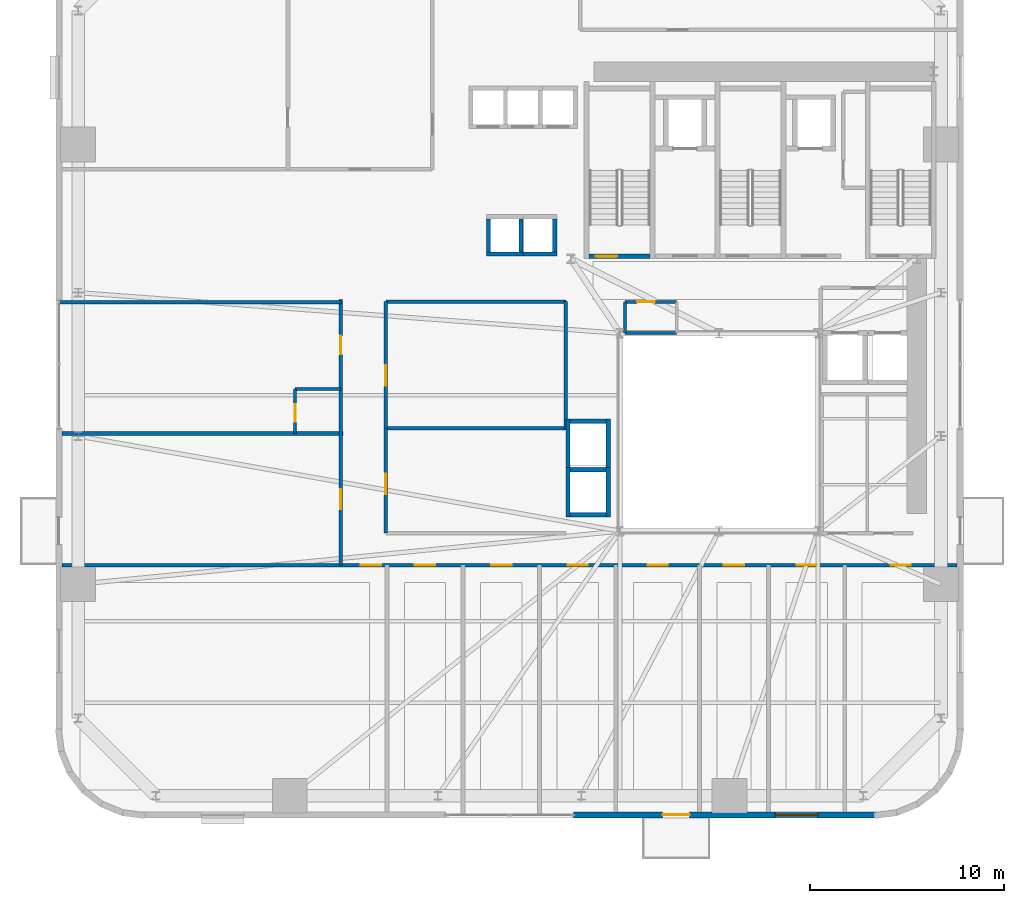
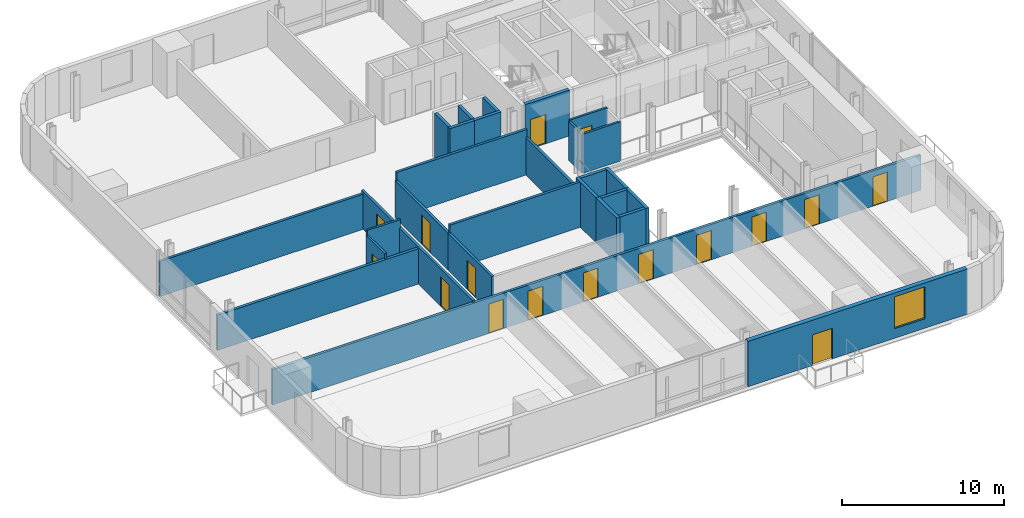
# One storey, part 6 of 13: 28 walls, 16 doors, 1 window, 17 openings.
"""IFC4 building model written with IfcOpenShell, lengths in metres."""

from ifc_helpers import new_model, si_unit, direction, frame, frame_2d, origin, place, context, subcontext, project, spatial, rectangle, extrude, source, transform, mapped, material, layer, layer_set, type_object, element, fill, save


model = new_model("IFC4")

# Units and contexts
model_context = context("Model", 3, precision=1e-05, world=origin(), true_north=direction((0.0, 1.0)))
body_context = subcontext(model_context, "Body", "Model", "MODEL_VIEW")
ifc_project = project(units=[si_unit("LENGTHUNIT", "METRE"), si_unit("AREAUNIT", "SQUARE_METRE"), si_unit("VOLUMEUNIT", "CUBIC_METRE"), si_unit("PLANEANGLEUNIT", "RADIAN"), si_unit("MASSUNIT", "GRAM", prefix="KILO")], contexts=[model_context])

# Site, building, storey
site_placement = place(None, origin())
site = spatial("IfcSite", under=ifc_project, at=site_placement, CompositionType="ELEMENT")
building_placement = place(site_placement, origin())
building = spatial("IfcBuilding", under=site, at=building_placement, Name="Vardaveli Station Tower", CompositionType="ELEMENT")
storey_placement = place(building_placement, frame((0.0, 0.0, 53.14990234375)))
storey = spatial("IfcBuildingStorey", under=building, at=storey_placement, Name="L13", CompositionType="ELEMENT", Elevation=53.14990234375)

# Wall, openings, door, window
ifc_material_1 = material(Name="Precast concrete C45/55", Category="concrete")
ifc_layer_1 = layer(ifc_material_1, 0.320068359375, Name="Precast concrete C45/55")
ifc_layer_set_1 = layer_set([ifc_layer_1], Name="Precast concrete C45/55")
wall_type_1 = type_object("IfcWallType", Name="WAL-EXT-STONE-320", PredefinedType="SOLIDWALL", material=ifc_layer_set_1)
shared_shape_1 = source(origin(), body_context, "Body", "SweptSolid", [
    extrude(rectangle(XDim=15.599853515625, YDim=0.320068359375, at=frame_2d((7.7998046875, 0.0))), origin(), (0.0, 0.0, 1.0), 3.41015625),
])
wall_1_placement = place(storey_placement, frame((28.800048828125, 1.9599609375, 0.0), z_axis=(0.0, 0.0, 1.0), x_axis=(1.0, 0.0, 0.0)))
wall_1 = element("IfcWall", 1, at=wall_1_placement, inside=storey, type_object=wall_type_1, Name="EW-L13-S2", PredefinedType="SOLIDWALL", context=body_context, shape_type="MappedRepresentation", body=[
    mapped(shared_shape_1, transform((0.0, 0.0, 0.0), scale=1.0)),
])
shared_shape_2 = source(origin(), body_context, "Body", "SweptSolid", [
    extrude(rectangle(XDim=1.39990234375, YDim=2.300048828125, at=frame_2d((0.699951171875, 1.14990234375))), frame((0.0, 0.169921875, 0.0), z_axis=(0.0, -1.0, 0.0), x_axis=(1.0, 0.0, 0.0)), (0.0, 0.0, 1.0), 0.340087890625),
])
opening_1_placement = place(wall_1_placement, frame((4.589599609375, 0.0, 0.0)))
opening_1 = element("IfcOpeningElement", 2, at=opening_1_placement, cuts=wall_1, Name="Opening D-09", PredefinedType="OPENING", context=body_context, shape_type="MappedRepresentation", body=[
    mapped(shared_shape_2, transform((0.0, 0.0, 0.0), scale=1.0)),
])
shared_shape_3 = source(origin(), body_context, "Body", "SweptSolid", [
    extrude(rectangle(XDim=2.199951171875, YDim=2.39990234375, at=frame_2d((1.10009765625, 1.199951171875))), frame((0.0, 0.169921875, 0.0), z_axis=(0.0, -1.0, 0.0), x_axis=(1.0, 0.0, 0.0)), (0.0, 0.0, 1.0), 0.340087890625),
])
opening_2_placement = place(wall_1_placement, frame((10.39501953125, 0.0, 0.719970703125)))
opening_2 = element("IfcOpeningElement", 3, at=opening_2_placement, cuts=wall_1, Name="Opening W-03", PredefinedType="OPENING", context=body_context, shape_type="MappedRepresentation", body=[
    mapped(shared_shape_3, transform((0.0, 0.0, 0.0), scale=1.0)),
])
ifc_material_2 = material(Name="Thermally broken aluminium glass", Category="aluminium")
door_type_1 = type_object("IfcDoorType", Name="DR-LOG-1400x2300", OperationType="DOUBLE_DOOR_SLIDING", PredefinedType="DOOR", material=ifc_material_2)
shared_shape_4 = source(origin(), body_context, "Body", "SweptSolid", [
    extrude(rectangle(XDim=1.39990234375, YDim=2.300048828125, at=frame_2d((0.699951171875, 1.14990234375))), frame((0.0, 0.02490234375, 0.0), z_axis=(0.0, -1.0, 0.0), x_axis=(1.0, 0.0, 0.0)), (0.0, 0.0, 1.0), 0.050048828125),
])
door_1_placement = place(opening_1_placement, frame((1.39990234375, 0.0, 0.0), z_axis=(0.0, 0.0, 1.0), x_axis=(-1.0, 0.0, 0.0)))
door_1 = element("IfcDoor", 4, at=door_1_placement, inside=storey, type_object=door_type_1, Name="DLG-L13-S", OperationType="DOUBLE_DOOR_SLIDING", OverallHeight=2.300048828125, OverallWidth=1.39990234375, PredefinedType="DOOR", context=body_context, shape_type="MappedRepresentation", body=[
    mapped(shared_shape_4, transform((0.0, 0.0, 0.0), scale=1.0)),
])
fill(opening_1, door_1)
ifc_material_3 = material(Name="Low-E solar-control glass", Category="glass")
window_type = type_object("IfcWindowType", Name="WIN-LOG-2200x2400", PartitioningType="SINGLE_PANEL", PredefinedType="WINDOW", material=ifc_material_3)
shared_shape_5 = source(origin(), body_context, "Body", "SweptSolid", [
    extrude(rectangle(XDim=2.199951171875, YDim=2.39990234375, at=frame_2d((1.10009765625, 1.199951171875))), frame((0.0, 0.030029296875, 0.0), z_axis=(0.0, -1.0, 0.0), x_axis=(1.0, 0.0, 0.0)), (0.0, 0.0, 1.0), 0.06005859375),
])
window_placement = place(opening_2_placement, origin())
window = element("IfcWindow", 5, at=window_placement, inside=storey, type_object=window_type, Name="WN-L13-S2", OverallHeight=2.39990234375, OverallWidth=2.199951171875, PartitioningType="SINGLE_PANEL", PredefinedType="WINDOW", context=body_context, shape_type="MappedRepresentation", body=[
    mapped(shared_shape_5, transform((0.0, 0.0, 0.0), scale=1.0)),
])
fill(opening_2, window)

# Wall, opening, door
ifc_material_4 = material(Name="Concrete C40/50", Category="concrete")
ifc_layer_2 = layer(ifc_material_4, 0.25, Name="Concrete C40/50")
ifc_layer_set_2 = layer_set([ifc_layer_2], Name="Concrete C40/50")
wall_type_2 = type_object("IfcWallType", Name="WAL-SHAFT-250", PredefinedType="SOLIDWALL", material=ifc_layer_set_2)
shared_shape_6 = source(origin(), body_context, "Body", "SweptSolid", [
    extrude(rectangle(XDim=3.14990234375, YDim=0.25, at=frame_2d((1.574951171875, 0.0))), origin(), (0.0, 0.0, 1.0), 3.4501953125),
])
wall_2_placement = place(storey_placement, frame((29.60009765625, 30.77490234375, 0.0), z_axis=(0.0, 0.0, 1.0), x_axis=(1.0, 0.0, 0.0)))
wall_2 = element("IfcWall", 6, at=wall_2_placement, inside=storey, type_object=wall_type_2, Name="W-L13-ST-1S", PredefinedType="SOLIDWALL", context=body_context, shape_type="MappedRepresentation", body=[
    mapped(shared_shape_6, transform((0.0, 0.0, 0.0), scale=1.0)),
])
shared_shape_7 = source(origin(), body_context, "Body", "SweptSolid", [
    extrude(rectangle(XDim=1.10009765625, YDim=2.199951171875, at=frame_2d((0.550048828125, 1.10009765625))), frame((0.0, 0.135009765625, 0.0), z_axis=(0.0, -1.0, 0.0), x_axis=(1.0, 0.0, 0.0)), (0.0, 0.0, 1.0), 0.27001953125),
])
opening_3_placement = place(wall_2_placement, frame((0.35009765625, 0.0, 0.0)))
opening_3 = element("IfcOpeningElement", 7, at=opening_3_placement, cuts=wall_2, Name="Opening D-04", PredefinedType="OPENING", context=body_context, shape_type="MappedRepresentation", body=[
    mapped(shared_shape_7, transform((0.0, 0.0, 0.0), scale=1.0)),
])
ifc_material_5 = material(Name="Steel smokeproof fire doorset", Category="steel")
door_type_2 = type_object("IfcDoorType", Name="DR-ST-1100x2200", OperationType="NOTDEFINED", PredefinedType="DOOR", material=ifc_material_5)
shared_shape_8 = source(origin(), body_context, "Body", "SweptSolid", [
    extrude(rectangle(XDim=1.10009765625, YDim=2.199951171875, at=frame_2d((0.550048828125, 1.10009765625))), frame((0.0, 0.02490234375, 0.0), z_axis=(0.0, -1.0, 0.0), x_axis=(1.0, 0.0, 0.0)), (0.0, 0.0, 1.0), 0.050048828125),
])
door_2_placement = place(opening_3_placement, origin())
door_2 = element("IfcDoor", 8, at=door_2_placement, inside=storey, type_object=door_type_2, Name="DST-1-L13", OperationType="SINGLE_SWING_LEFT", OverallHeight=2.199951171875, OverallWidth=1.10009765625, PredefinedType="DOOR", context=body_context, shape_type="MappedRepresentation", body=[
    mapped(shared_shape_8, transform((0.0, 0.0, 0.0), scale=1.0)),
])
fill(opening_3, door_2)

# Walls
ifc_layer_3 = layer(ifc_material_4, 0.219970703125, Name="Concrete C40/50")
ifc_layer_set_3 = layer_set([ifc_layer_3], Name="Concrete C40/50")
wall_type_3 = type_object("IfcWallType", Name="WAL-FFLOBBY-220", PredefinedType="SOLIDWALL", material=ifc_layer_set_3)
shared_shape_9 = source(origin(), body_context, "Body", "SweptSolid", [
    extrude(rectangle(XDim=1.89013671875, YDim=0.219970703125, at=frame_2d((0.945068359375, 0.0))), origin(), (0.0, 0.0, 1.0), 3.41015625),
])
for number, where, z_axis, x_axis, name in (
    (9, (24.304931640625, 30.889892578125, 0.0), (0.0, 0.0, 1.0), (1.0, 0.0, 0.0), "SHW-SHU-01-L13-S"),
    (10, (26.054931640625, 30.889892578125, 0.0), (0.0, 0.0, 1.0), (1.0, 0.0, 0.0), "SHW-SHU-02-L13-S"),
):
    element("IfcWall", number, at=place(storey_placement, frame(where, z_axis=z_axis, x_axis=x_axis)), inside=storey, type_object=wall_type_3, Name=name, PredefinedType="SOLIDWALL", context=body_context, shape_type="MappedRepresentation", body=[
        mapped(shared_shape_9, transform((0.0, 0.0, 0.0), scale=1.0)),
    ])
shared_shape_10 = source(origin(), body_context, "Body", "SweptSolid", [
    extrude(rectangle(XDim=1.699951171875, YDim=0.219970703125, at=frame_2d((0.85009765625, 0.0))), origin(), (0.0, 0.0, 1.0), 3.41015625),
])
for number, where, z_axis, x_axis, name in (
    (11, (24.4150390625, 31.0, 0.0), (0.0, 0.0, 1.0), (0.0, 1.0, 0.0), "SHW-SHU-01-L13-W"),
    (12, (26.0849609375, 31.0, 0.0), (0.0, 0.0, 1.0), (0.0, 1.0, 0.0), "SHW-SHU-01-L13-E"),
    (13, (27.8349609375, 31.0, 0.0), (0.0, 0.0, 1.0), (0.0, 1.0, 0.0), "SHW-SHU-02-L13-E"),
):
    element("IfcWall", number, at=place(storey_placement, frame(where, z_axis=z_axis, x_axis=x_axis)), inside=storey, type_object=wall_type_3, Name=name, PredefinedType="SOLIDWALL", context=body_context, shape_type="MappedRepresentation", body=[
        mapped(shared_shape_10, transform((0.0, 0.0, 0.0), scale=1.0)),
    ])
shared_shape_11 = source(origin(), body_context, "Body", "SweptSolid", [
    extrude(rectangle(XDim=1.85009765625, YDim=0.219970703125, at=frame_2d((0.925048828125, 0.0))), origin(), (0.0, 0.0, 1.0), 3.41015625),
])
for number, where, z_axis, x_axis, name in (
    (14, (28.625, 17.43994140625, 0.0), (0.0, 0.0, 1.0), (1.0, 0.0, 0.0), "SHW-OBS-01-L13-S"),
    (15, (28.625, 19.760009765625, 0.0), (0.0, 0.0, 1.0), (1.0, 0.0, 0.0), "SHW-OBS-01-L13-N"),
    (16, (28.625, 22.260009765625, 0.0), (0.0, 0.0, 1.0), (1.0, 0.0, 0.0), "SHW-OBS-02-L13-N"),
):
    element("IfcWall", number, at=place(storey_placement, frame(where, z_axis=z_axis, x_axis=x_axis)), inside=storey, type_object=wall_type_3, Name=name, PredefinedType="SOLIDWALL", context=body_context, shape_type="MappedRepresentation", body=[
        mapped(shared_shape_11, transform((0.0, 0.0, 0.0), scale=1.0)),
    ])
shared_shape_12 = source(origin(), body_context, "Body", "SweptSolid", [
    extrude(rectangle(XDim=2.5400390625, YDim=0.219970703125, at=frame_2d((1.27001953125, 0.0))), origin(), (0.0, 0.0, 1.0), 3.41015625),
])
for number, where, z_axis, x_axis, name in (
    (17, (28.514892578125, 17.330078125, 0.0), (0.0, 0.0, 1.0), (0.0, 1.0, 0.0), "SHW-OBS-01-L13-W"),
    (18, (30.5849609375, 17.330078125, 0.0), (0.0, 0.0, 1.0), (0.0, 1.0, 0.0), "SHW-OBS-01-L13-E"),
    (19, (28.514892578125, 19.830078125, 0.0), (0.0, 0.0, 1.0), (0.0, 1.0, 0.0), "SHW-OBS-02-L13-W"),
    (20, (30.5849609375, 19.830078125, 0.0), (0.0, 0.0, 1.0), (0.0, 1.0, 0.0), "SHW-OBS-02-L13-E"),
):
    element("IfcWall", number, at=place(storey_placement, frame(where, z_axis=z_axis, x_axis=x_axis)), inside=storey, type_object=wall_type_3, Name=name, PredefinedType="SOLIDWALL", context=body_context, shape_type="MappedRepresentation", body=[
        mapped(shared_shape_12, transform((0.0, 0.0, 0.0), scale=1.0)),
    ])

# Wall, openings, doors
ifc_material_6 = material(Name="Fire-rated gypsum stud partition")
ifc_layer_4 = layer(ifc_material_6, 0.179931640625, Name="Fire-rated gypsum stud partition")
ifc_layer_set_4 = layer_set([ifc_layer_4], Name="Fire-rated gypsum stud partition")
wall_type_4 = type_object("IfcWallType", Name="WAL-CORR-180", PredefinedType="PARTITIONING", material=ifc_layer_set_4)
shared_shape_13 = source(origin(), body_context, "Body", "SweptSolid", [
    extrude(rectangle(XDim=46.15576171875, YDim=0.179931640625, at=frame_2d((23.077880859375, 0.0))), origin(), (0.0, 0.0, 1.0), 2.652099609375),
])
wall_3_placement = place(storey_placement, frame((2.422119140625, 14.85009765625, 0.0), z_axis=(0.0, 0.0, 1.0), x_axis=(1.0, 0.0, 0.0)))
wall_3 = element("IfcWall", 21, at=wall_3_placement, inside=storey, type_object=wall_type_4, Name="W-L13-CS", PredefinedType="PARTITIONING", context=body_context, shape_type="MappedRepresentation", body=[
    mapped(shared_shape_13, transform((0.0, 0.0, 0.0), scale=1.0)),
])
shared_shape_14 = source(origin(), body_context, "Body", "SweptSolid", [
    extrude(rectangle(XDim=1.050048828125, YDim=2.199951171875, at=frame_2d((0.52490234375, 1.10009765625))), frame((0.0, 0.10009765625, 0.0), z_axis=(0.0, -1.0, 0.0), x_axis=(1.0, 0.0, 0.0)), (0.0, 0.0, 1.0), 0.199951171875),
])
opening_4_placement = place(wall_3_placement, frame((15.39794921875, 0.0, 0.0)))
opening_4 = element("IfcOpeningElement", 22, at=opening_4_placement, cuts=wall_3, Name="Opening D-05", PredefinedType="OPENING", context=body_context, shape_type="MappedRepresentation", body=[
    mapped(shared_shape_14, transform((0.0, 0.0, 0.0), scale=1.0)),
])
opening_5_placement = place(wall_3_placement, frame((18.196044921875, 0.0, 0.0)))
opening_5 = element("IfcOpeningElement", 23, at=opening_5_placement, cuts=wall_3, Name="Opening D-05", PredefinedType="OPENING", context=body_context, shape_type="MappedRepresentation", body=[
    mapped(shared_shape_14, transform((0.0, 0.0, 0.0), scale=1.0)),
])
opening_6_placement = place(wall_3_placement, frame((22.13232421875, 0.0, 0.0)))
opening_6 = element("IfcOpeningElement", 24, at=opening_6_placement, cuts=wall_3, Name="Opening D-05", PredefinedType="OPENING", context=body_context, shape_type="MappedRepresentation", body=[
    mapped(shared_shape_14, transform((0.0, 0.0, 0.0), scale=1.0)),
])
opening_7_placement = place(wall_3_placement, frame((26.068603515625, 0.0, 0.0)))
opening_7 = element("IfcOpeningElement", 25, at=opening_7_placement, cuts=wall_3, Name="Opening D-05", PredefinedType="OPENING", context=body_context, shape_type="MappedRepresentation", body=[
    mapped(shared_shape_14, transform((0.0, 0.0, 0.0), scale=1.0)),
])
opening_8_placement = place(wall_3_placement, frame((30.192138671875, 0.0, 0.0)))
opening_8 = element("IfcOpeningElement", 26, at=opening_8_placement, cuts=wall_3, Name="Opening D-05", PredefinedType="OPENING", context=body_context, shape_type="MappedRepresentation", body=[
    mapped(shared_shape_14, transform((0.0, 0.0, 0.0), scale=1.0)),
])
opening_9_placement = place(wall_3_placement, frame((34.12841796875, 0.0, 0.0)))
opening_9 = element("IfcOpeningElement", 27, at=opening_9_placement, cuts=wall_3, Name="Opening D-05", PredefinedType="OPENING", context=body_context, shape_type="MappedRepresentation", body=[
    mapped(shared_shape_14, transform((0.0, 0.0, 0.0), scale=1.0)),
])
opening_10_placement = place(wall_3_placement, frame((37.877197265625, 0.0, 0.0)))
opening_10 = element("IfcOpeningElement", 28, at=opening_10_placement, cuts=wall_3, Name="Opening D-05", PredefinedType="OPENING", context=body_context, shape_type="MappedRepresentation", body=[
    mapped(shared_shape_14, transform((0.0, 0.0, 0.0), scale=1.0)),
])
opening_11_placement = place(wall_3_placement, frame((42.726806640625, 0.0, 0.0)))
opening_11 = element("IfcOpeningElement", 29, at=opening_11_placement, cuts=wall_3, Name="Opening D-05", PredefinedType="OPENING", context=body_context, shape_type="MappedRepresentation", body=[
    mapped(shared_shape_14, transform((0.0, 0.0, 0.0), scale=1.0)),
])
ifc_material_7 = material(Name="Walnut veneer acoustic fire door")
door_type_3 = type_object("IfcDoorType", Name="DR-SUITE-1050x2200", OperationType="NOTDEFINED", PredefinedType="DOOR", material=ifc_material_7)
shared_shape_15 = source(origin(), body_context, "Body", "SweptSolid", [
    extrude(rectangle(XDim=1.050048828125, YDim=2.199951171875, at=frame_2d((0.52490234375, 1.10009765625))), frame((0.0, 0.02490234375, 0.0), z_axis=(0.0, -1.0, 0.0), x_axis=(1.0, 0.0, 0.0)), (0.0, 0.0, 1.0), 0.050048828125),
])
door_3_placement = place(opening_4_placement, origin())
door_3 = element("IfcDoor", 30, at=door_3_placement, inside=storey, type_object=door_type_3, Name="D-L13-SA1", OperationType="SINGLE_SWING_LEFT", OverallHeight=2.199951171875, OverallWidth=1.050048828125, PredefinedType="DOOR", context=body_context, shape_type="MappedRepresentation", body=[
    mapped(shared_shape_15, transform((0.0, 0.0, 0.0), scale=1.0)),
])
fill(opening_4, door_3)
door_4_placement = place(opening_5_placement, origin())
door_4 = element("IfcDoor", 31, at=door_4_placement, inside=storey, type_object=door_type_3, Name="D-L13-SA2", OperationType="SINGLE_SWING_RIGHT", OverallHeight=2.199951171875, OverallWidth=1.050048828125, PredefinedType="DOOR", context=body_context, shape_type="MappedRepresentation", body=[
    mapped(shared_shape_15, transform((0.0, 0.0, 0.0), scale=1.0)),
])
fill(opening_5, door_4)
door_5_placement = place(opening_6_placement, origin())
door_5 = element("IfcDoor", 32, at=door_5_placement, inside=storey, type_object=door_type_3, Name="D-L13-SA3", OperationType="SINGLE_SWING_LEFT", OverallHeight=2.199951171875, OverallWidth=1.050048828125, PredefinedType="DOOR", context=body_context, shape_type="MappedRepresentation", body=[
    mapped(shared_shape_15, transform((0.0, 0.0, 0.0), scale=1.0)),
])
fill(opening_6, door_5)
door_6_placement = place(opening_7_placement, origin())
door_6 = element("IfcDoor", 33, at=door_6_placement, inside=storey, type_object=door_type_3, Name="D-L13-SA4", OperationType="SINGLE_SWING_RIGHT", OverallHeight=2.199951171875, OverallWidth=1.050048828125, PredefinedType="DOOR", context=body_context, shape_type="MappedRepresentation", body=[
    mapped(shared_shape_15, transform((0.0, 0.0, 0.0), scale=1.0)),
])
fill(opening_7, door_6)
door_7_placement = place(opening_8_placement, origin())
door_7 = element("IfcDoor", 34, at=door_7_placement, inside=storey, type_object=door_type_3, Name="D-L13-SA5", OperationType="SINGLE_SWING_LEFT", OverallHeight=2.199951171875, OverallWidth=1.050048828125, PredefinedType="DOOR", context=body_context, shape_type="MappedRepresentation", body=[
    mapped(shared_shape_15, transform((0.0, 0.0, 0.0), scale=1.0)),
])
fill(opening_8, door_7)
door_8_placement = place(opening_9_placement, origin())
door_8 = element("IfcDoor", 35, at=door_8_placement, inside=storey, type_object=door_type_3, Name="D-L13-SA6", OperationType="SINGLE_SWING_RIGHT", OverallHeight=2.199951171875, OverallWidth=1.050048828125, PredefinedType="DOOR", context=body_context, shape_type="MappedRepresentation", body=[
    mapped(shared_shape_15, transform((0.0, 0.0, 0.0), scale=1.0)),
])
fill(opening_9, door_8)
door_9_placement = place(opening_10_placement, origin())
door_9 = element("IfcDoor", 36, at=door_9_placement, inside=storey, type_object=door_type_3, Name="D-L13-SA7", OperationType="SINGLE_SWING_LEFT", OverallHeight=2.199951171875, OverallWidth=1.050048828125, PredefinedType="DOOR", context=body_context, shape_type="MappedRepresentation", body=[
    mapped(shared_shape_15, transform((0.0, 0.0, 0.0), scale=1.0)),
])
fill(opening_10, door_9)
door_10_placement = place(opening_11_placement, origin())
door_10 = element("IfcDoor", 37, at=door_10_placement, inside=storey, type_object=door_type_3, Name="D-L13-SA8", OperationType="SINGLE_SWING_LEFT", OverallHeight=2.199951171875, OverallWidth=1.050048828125, PredefinedType="DOOR", context=body_context, shape_type="MappedRepresentation", body=[
    mapped(shared_shape_15, transform((0.0, 0.0, 0.0), scale=1.0)),
])
fill(opening_11, door_10)

# Wall, opening, door
shared_shape_16 = source(origin(), body_context, "Body", "SweptSolid", [
    extrude(rectangle(XDim=6.5400390625, YDim=0.179931640625, at=frame_2d((3.27001953125, 0.0))), origin(), (0.0, 0.0, 1.0), 2.802001953125),
])
wall_4_placement = place(storey_placement, frame((19.1201171875, 21.89990234375, 0.0), z_axis=(0.0, 0.0, 1.0), x_axis=(0.0, 1.0, 0.0)))
wall_4 = element("IfcWall", 38, at=wall_4_placement, inside=storey, type_object=wall_type_4, Name="W-L13-ATW2-W", PredefinedType="PARTITIONING", context=body_context, shape_type="MappedRepresentation", body=[
    mapped(shared_shape_16, transform((0.0, 0.0, 0.0), scale=1.0)),
])
opening_12_placement = place(wall_4_placement, frame((2.199951171875, 0.0, 0.0)))
opening_12 = element("IfcOpeningElement", 39, at=opening_12_placement, cuts=wall_4, Name="Opening D-05", PredefinedType="OPENING", context=body_context, shape_type="MappedRepresentation", body=[
    mapped(shared_shape_14, transform((0.0, 0.0, 0.0), scale=1.0)),
])
door_11_placement = place(opening_12_placement, origin())
door_11 = element("IfcDoor", 40, at=door_11_placement, inside=storey, type_object=door_type_3, Name="D-L13-ATW2", OperationType="SINGLE_SWING_LEFT", OverallHeight=2.199951171875, OverallWidth=1.050048828125, PredefinedType="DOOR", context=body_context, shape_type="MappedRepresentation", body=[
    mapped(shared_shape_15, transform((0.0, 0.0, 0.0), scale=1.0)),
])
fill(opening_12, door_11)

# Wall
wall_5_placement = place(storey_placement, frame((28.39990234375, 21.89990234375, 0.0), z_axis=(0.0, 0.0, 1.0), x_axis=(0.0, 1.0, 0.0)))
element("IfcWall", 41, at=wall_5_placement, inside=storey, type_object=wall_type_4, Name="W-L13-ATW2-E", PredefinedType="PARTITIONING", context=body_context, shape_type="MappedRepresentation", body=[
    mapped(shared_shape_16, transform((0.0, 0.0, 0.0), scale=1.0)),
])

# Wall, opening, door
shared_shape_17 = source(origin(), body_context, "Body", "SweptSolid", [
    extrude(rectangle(XDim=5.39990234375, YDim=0.179931640625, at=frame_2d((2.699951171875, 0.0))), origin(), (0.0, 0.0, 1.0), 2.802001953125),
])
wall_6_placement = place(storey_placement, frame((19.1201171875, 16.5, 0.0), z_axis=(0.0, 0.0, 1.0), x_axis=(0.0, 1.0, 0.0)))
wall_6 = element("IfcWall", 42, at=wall_6_placement, inside=storey, type_object=wall_type_4, Name="W-L13-ATW1-W", PredefinedType="PARTITIONING", context=body_context, shape_type="MappedRepresentation", body=[
    mapped(shared_shape_17, transform((0.0, 0.0, 0.0), scale=1.0)),
])
opening_13_placement = place(wall_6_placement, frame((2.0, 0.0, 0.0)))
opening_13 = element("IfcOpeningElement", 43, at=opening_13_placement, cuts=wall_6, Name="Opening D-05", PredefinedType="OPENING", context=body_context, shape_type="MappedRepresentation", body=[
    mapped(shared_shape_14, transform((0.0, 0.0, 0.0), scale=1.0)),
])
door_12_placement = place(opening_13_placement, origin())
door_12 = element("IfcDoor", 44, at=door_12_placement, inside=storey, type_object=door_type_3, Name="D-L13-ATW1", OperationType="SINGLE_SWING_RIGHT", OverallHeight=2.199951171875, OverallWidth=1.050048828125, PredefinedType="DOOR", context=body_context, shape_type="MappedRepresentation", body=[
    mapped(shared_shape_15, transform((0.0, 0.0, 0.0), scale=1.0)),
])
fill(opening_13, door_12)

ifc_material_8 = material(Name="Moisture-resistant stud partition")
ifc_layer_5 = layer(ifc_material_8, 0.14990234375, Name="Moisture-resistant stud partition")
ifc_layer_set_5 = layer_set([ifc_layer_5], Name="Moisture-resistant stud partition")
wall_type_5 = type_object("IfcWallType", Name="WAL-WET-150", PredefinedType="PARTITIONING", material=ifc_layer_set_5)
shared_shape_18 = source(origin(), body_context, "Body", "SweptSolid", [
    extrude(rectangle(XDim=2.670166015625, YDim=0.14990234375, at=frame_2d((1.3349609375, 0.0))), origin(), (0.0, 0.0, 1.0), 3.0419921875),
])
wall_7_placement = place(storey_placement, frame((31.449951171875, 28.419921875, 0.0), z_axis=(0.0, 0.0, 1.0), x_axis=(1.0, 0.0, 0.0)))
wall_7 = element("IfcWall", 45, at=wall_7_placement, inside=storey, type_object=wall_type_5, Name="W-L13-WCA1-N", PredefinedType="PARTITIONING", context=body_context, shape_type="MappedRepresentation", body=[
    mapped(shared_shape_18, transform((0.0, 0.0, 0.0), scale=1.0)),
])
shared_shape_19 = source(origin(), body_context, "Body", "SweptSolid", [
    extrude(rectangle(XDim=0.919921875, YDim=2.10009765625, at=frame_2d((0.4599609375, 1.050048828125))), frame((0.0, 0.0849609375, 0.0), z_axis=(0.0, -1.0, 0.0), x_axis=(1.0, 0.0, 0.0)), (0.0, 0.0, 1.0), 0.169921875),
])
opening_14_placement = place(wall_7_placement, frame((0.6298828125, 0.0, 0.0)))
opening_14 = element("IfcOpeningElement", 46, at=opening_14_placement, cuts=wall_7, Name="Opening D-07", PredefinedType="OPENING", context=body_context, shape_type="MappedRepresentation", body=[
    mapped(shared_shape_19, transform((0.0, 0.0, 0.0), scale=1.0)),
])
ifc_material_9 = material(Name="Moisture-resistant hardwood door", Category="wood")
door_type_4 = type_object("IfcDoorType", Name="DR-WC-920x2100", OperationType="NOTDEFINED", PredefinedType="DOOR", material=ifc_material_9)
shared_shape_20 = source(origin(), body_context, "Body", "SweptSolid", [
    extrude(rectangle(XDim=0.919921875, YDim=2.10009765625, at=frame_2d((0.4599609375, 1.050048828125))), frame((0.0, 0.02490234375, 0.0), z_axis=(0.0, -1.0, 0.0), x_axis=(1.0, 0.0, 0.0)), (0.0, 0.0, 1.0), 0.050048828125),
])
door_13_placement = place(opening_14_placement, origin())
door_13 = element("IfcDoor", 47, at=door_13_placement, inside=storey, type_object=door_type_4, Name="D-L13-WCA", OperationType="SINGLE_SWING_LEFT", OverallHeight=2.10009765625, OverallWidth=0.919921875, PredefinedType="DOOR", context=body_context, shape_type="MappedRepresentation", body=[
    mapped(shared_shape_20, transform((0.0, 0.0, 0.0), scale=1.0)),
])
fill(opening_14, door_13)

# Walls
shared_shape_21 = source(origin(), body_context, "Body", "SweptSolid", [
    extrude(rectangle(XDim=2.360107421875, YDim=0.14990234375, at=frame_2d((1.18017578125, 0.0))), origin(), (0.0, 0.0, 1.0), 3.41015625),
])
wall_8_placement = place(storey_placement, frame((14.43994140625, 23.93505859375, 0.0), z_axis=(0.0, 0.0, 1.0), x_axis=(1.0, 0.0, 0.0)))
element("IfcWall", 48, at=wall_8_placement, inside=storey, type_object=wall_type_5, Name="W-L13-BW2-N", PredefinedType="PARTITIONING", context=body_context, shape_type="MappedRepresentation", body=[
    mapped(shared_shape_21, transform((0.0, 0.0, 0.0), scale=1.0)),
])
shared_shape_22 = source(origin(), body_context, "Body", "SweptSolid", [
    extrude(rectangle(XDim=2.670166015625, YDim=0.14990234375, at=frame_2d((1.3349609375, 0.0))), origin(), (0.0, 0.0, 1.0), 2.9521484375),
])
wall_9_placement = place(storey_placement, frame((31.449951171875, 26.820068359375, 0.0), z_axis=(0.0, 0.0, 1.0), x_axis=(1.0, 0.0, 0.0)))
element("IfcWall", 49, at=wall_9_placement, inside=storey, type_object=wall_type_5, Name="W-L13-WCA1-S", PredefinedType="PARTITIONING", context=body_context, shape_type="MappedRepresentation", body=[
    mapped(shared_shape_22, transform((0.0, 0.0, 0.0), scale=1.0)),
])
shared_shape_23 = source(origin(), body_context, "Body", "SweptSolid", [
    extrude(rectangle(XDim=1.599853515625, YDim=0.14990234375, at=frame_2d((0.7998046875, 0.0))), origin(), (0.0, 0.0, 1.0), 2.9521484375),
])
wall_10_placement = place(storey_placement, frame((31.449951171875, 26.820068359375, 0.0), z_axis=(0.0, 0.0, 1.0), x_axis=(0.0, 1.0, 0.0)))
element("IfcWall", 50, at=wall_10_placement, inside=storey, type_object=wall_type_5, Name="W-L13-WCA1-W", PredefinedType="PARTITIONING", context=body_context, shape_type="MappedRepresentation", body=[
    mapped(shared_shape_23, transform((0.0, 0.0, 0.0), scale=1.0)),
])

# Wall, openings, doors
shared_shape_24 = source(origin(), body_context, "Body", "SweptSolid", [
    extrude(rectangle(XDim=13.699951171875, YDim=0.179931640625, at=frame_2d((6.85009765625, 0.0))), origin(), (0.0, 0.0, 1.0), 2.802001953125),
])
wall_11_placement = place(storey_placement, frame((16.800048828125, 14.85009765625, 0.0), z_axis=(0.0, 0.0, 1.0), x_axis=(0.0, 1.0, 0.0)))
wall_11 = element("IfcWall", 51, at=wall_11_placement, inside=storey, type_object=wall_type_4, Name="W-L13-CW", PredefinedType="PARTITIONING", context=body_context, shape_type="MappedRepresentation", body=[
    mapped(shared_shape_24, transform((0.0, 0.0, 0.0), scale=1.0)),
])
opening_15_placement = place(wall_11_placement, frame((2.867431640625, 0.0, 0.0)))
opening_15 = element("IfcOpeningElement", 52, at=opening_15_placement, cuts=wall_11, Name="Opening D-05", PredefinedType="OPENING", context=body_context, shape_type="MappedRepresentation", body=[
    mapped(shared_shape_14, transform((0.0, 0.0, 0.0), scale=1.0)),
])
shared_shape_25 = source(origin(), body_context, "Body", "SweptSolid", [
    extrude(rectangle(XDim=0.949951171875, YDim=2.14990234375, at=frame_2d((0.47509765625, 1.074951171875))), frame((0.0, 0.10009765625, 0.0), z_axis=(0.0, -1.0, 0.0), x_axis=(1.0, 0.0, 0.0)), (0.0, 0.0, 1.0), 0.199951171875),
])
opening_16_placement = place(wall_11_placement, frame((10.867431640625, 0.0, 0.0)))
opening_16 = element("IfcOpeningElement", 53, at=opening_16_placement, cuts=wall_11, Name="Opening D-06", PredefinedType="OPENING", context=body_context, shape_type="MappedRepresentation", body=[
    mapped(shared_shape_25, transform((0.0, 0.0, 0.0), scale=1.0)),
])
door_14_placement = place(opening_15_placement, origin())
door_14 = element("IfcDoor", 54, at=door_14_placement, inside=storey, type_object=door_type_3, Name="D-L13-GW1", OperationType="SINGLE_SWING_LEFT", OverallHeight=2.199951171875, OverallWidth=1.050048828125, PredefinedType="DOOR", context=body_context, shape_type="MappedRepresentation", body=[
    mapped(shared_shape_15, transform((0.0, 0.0, 0.0), scale=1.0)),
])
fill(opening_15, door_14)
ifc_material_10 = material(Name="Oak veneer acoustic fire door")
door_type_5 = type_object("IfcDoorType", Name="DR-GUEST-950x2150", OperationType="NOTDEFINED", PredefinedType="DOOR", material=ifc_material_10)
shared_shape_26 = source(origin(), body_context, "Body", "SweptSolid", [
    extrude(rectangle(XDim=0.949951171875, YDim=2.14990234375, at=frame_2d((0.47509765625, 1.074951171875))), frame((0.0, 0.02490234375, 0.0), z_axis=(0.0, -1.0, 0.0), x_axis=(1.0, 0.0, 0.0)), (0.0, 0.0, 1.0), 0.050048828125),
])
door_15_placement = place(opening_16_placement, origin())
door_15 = element("IfcDoor", 55, at=door_15_placement, inside=storey, type_object=door_type_5, Name="D-L13-GW2", OperationType="SINGLE_SWING_RIGHT", OverallHeight=2.14990234375, OverallWidth=0.949951171875, PredefinedType="DOOR", context=body_context, shape_type="MappedRepresentation", body=[
    mapped(shared_shape_26, transform((0.0, 0.0, 0.0), scale=1.0)),
])
fill(opening_16, door_15)

# Wall, opening, door
shared_shape_27 = source(origin(), body_context, "Body", "SweptSolid", [
    extrude(rectangle(XDim=2.2900390625, YDim=0.14990234375, at=frame_2d((1.14501953125, 0.0))), origin(), (0.0, 0.0, 1.0), 3.0419921875),
])
wall_12_placement = place(storey_placement, frame((14.43994140625, 21.64501953125, 0.0), z_axis=(0.0, 0.0, 1.0), x_axis=(0.0, 1.0, 0.0)))
wall_12 = element("IfcWall", 56, at=wall_12_placement, inside=storey, type_object=wall_type_5, Name="W-L13-BW2-W", PredefinedType="PARTITIONING", context=body_context, shape_type="MappedRepresentation", body=[
    mapped(shared_shape_27, transform((0.0, 0.0, 0.0), scale=1.0)),
])
shared_shape_28 = source(origin(), body_context, "Body", "SweptSolid", [
    extrude(rectangle(XDim=0.89990234375, YDim=2.10009765625, at=frame_2d((0.449951171875, 1.050048828125))), frame((0.0, 0.0849609375, 0.0), z_axis=(0.0, -1.0, 0.0), x_axis=(1.0, 0.0, 0.0)), (0.0, 0.0, 1.0), 0.169921875),
])
opening_17_placement = place(wall_12_placement, frame((0.60009765625, 0.0, 0.0)))
opening_17 = element("IfcOpeningElement", 57, at=opening_17_placement, cuts=wall_12, Name="Opening D-08", PredefinedType="OPENING", context=body_context, shape_type="MappedRepresentation", body=[
    mapped(shared_shape_28, transform((0.0, 0.0, 0.0), scale=1.0)),
])
ifc_material_11 = material(Name="Moisture-resistant oak door")
door_type_6 = type_object("IfcDoorType", Name="DR-BATH-900x2100", OperationType="NOTDEFINED", PredefinedType="DOOR", material=ifc_material_11)
shared_shape_29 = source(origin(), body_context, "Body", "SweptSolid", [
    extrude(rectangle(XDim=0.89990234375, YDim=2.10009765625, at=frame_2d((0.449951171875, 1.050048828125))), frame((0.0, 0.02490234375, 0.0), z_axis=(0.0, -1.0, 0.0), x_axis=(1.0, 0.0, 0.0)), (0.0, 0.0, 1.0), 0.050048828125),
])
door_16_placement = place(opening_17_placement, origin())
door_16 = element("IfcDoor", 58, at=door_16_placement, inside=storey, type_object=door_type_6, Name="D-L13-BW2", OperationType="SINGLE_SWING_RIGHT", OverallHeight=2.10009765625, OverallWidth=0.89990234375, PredefinedType="DOOR", context=body_context, shape_type="MappedRepresentation", body=[
    mapped(shared_shape_29, transform((0.0, 0.0, 0.0), scale=1.0)),
])
fill(opening_17, door_16)

# Walls
ifc_material_12 = material(Name="Acoustic twin-stud gypsum partition")
ifc_layer_6 = layer(ifc_material_12, 0.199951171875, Name="Acoustic twin-stud gypsum partition")
ifc_layer_set_6 = layer_set([ifc_layer_6], Name="Acoustic twin-stud gypsum partition")
wall_type_6 = type_object("IfcWallType", Name="WAL-PARTY-200", PredefinedType="PARTITIONING", material=ifc_layer_set_6)
shared_shape_30 = source(origin(), body_context, "Body", "SweptSolid", [
    extrude(rectangle(XDim=14.477783203125, YDim=0.199951171875, at=frame_2d((7.23876953125, 0.0))), origin(), (0.0, 0.0, 1.0), 2.652099609375),
])
wall_13_placement = place(storey_placement, frame((2.422119140625, 21.625, 0.0), z_axis=(0.0, 0.0, 1.0), x_axis=(1.0, 0.0, 0.0)))
element("IfcWall", 59, at=wall_13_placement, inside=storey, type_object=wall_type_6, Name="W-L13-PW1", PredefinedType="PARTITIONING", context=body_context, shape_type="MappedRepresentation", body=[
    mapped(shared_shape_30, transform((0.0, 0.0, 0.0), scale=1.0)),
])
shared_shape_31 = source(origin(), body_context, "Body", "SweptSolid", [
    extrude(rectangle(XDim=14.570068359375, YDim=0.179931640625, at=frame_2d((7.28515625, 0.0))), origin(), (0.0, 0.0, 1.0), 2.652099609375),
])
wall_14_placement = place(storey_placement, frame((2.22998046875, 28.39990234375, 0.0), z_axis=(0.0, 0.0, 1.0), x_axis=(1.0, 0.0, 0.0)))
element("IfcWall", 60, at=wall_14_placement, inside=storey, type_object=wall_type_4, Name="W-L13-CWN", PredefinedType="PARTITIONING", context=body_context, shape_type="MappedRepresentation", body=[
    mapped(shared_shape_31, transform((0.0, 0.0, 0.0), scale=1.0)),
])
shared_shape_32 = source(origin(), body_context, "Body", "SweptSolid", [
    extrude(rectangle(XDim=9.27978515625, YDim=0.179931640625, at=frame_2d((4.639892578125, 0.0))), origin(), (0.0, 0.0, 1.0), 3.41015625),
])
for number, where, z_axis, x_axis, name in (
    (61, (19.1201171875, 21.89990234375, 0.0), (0.0, 0.0, 1.0), (1.0, 0.0, 0.0), "W-L13-ATW1-N"),
    (62, (19.1201171875, 28.43994140625, 0.0), (0.0, 0.0, 1.0), (1.0, 0.0, 0.0), "W-L13-ATW2-N"),
):
    element("IfcWall", number, at=place(storey_placement, frame(where, z_axis=z_axis, x_axis=x_axis)), inside=storey, type_object=wall_type_4, Name=name, PredefinedType="PARTITIONING", context=body_context, shape_type="MappedRepresentation", body=[
        mapped(shared_shape_32, transform((0.0, 0.0, 0.0), scale=1.0)),
    ])

save(model, "model.ifc")
